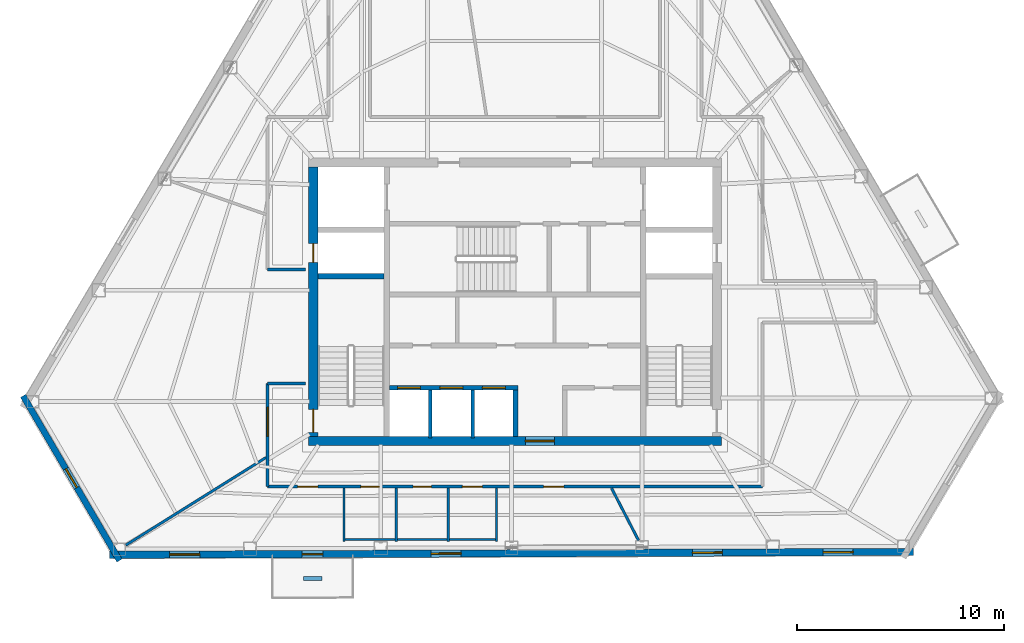
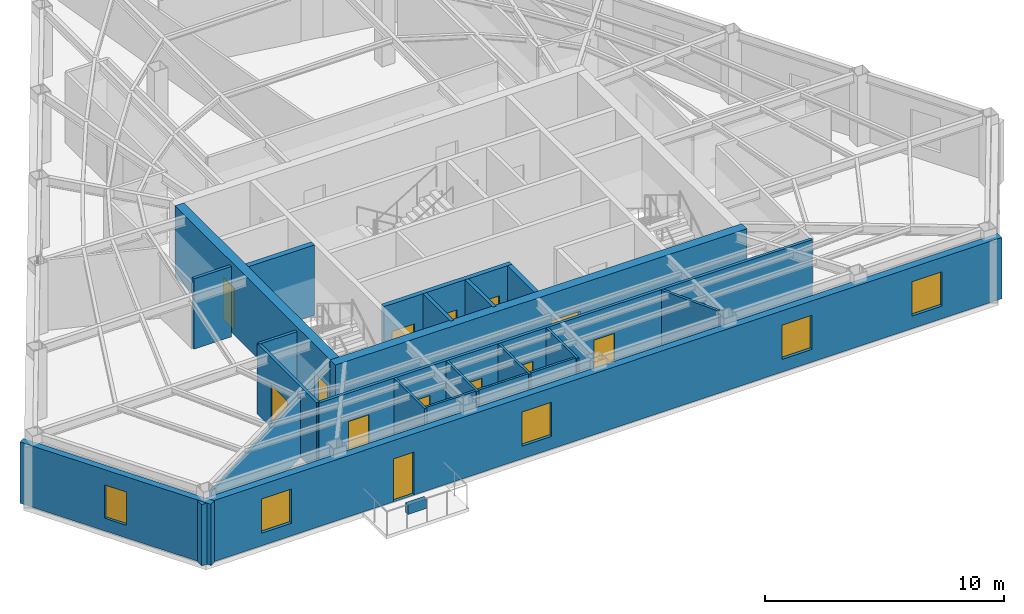
# One storey, part 5 of 9: 21 walls, 13 doors, 5 windows, 18 openings.
"""IFC4 building model written with IfcOpenShell, lengths in metres."""

from ifc_helpers import new_model, si_unit, direction, frame, frame_2d, origin, place, context, subcontext, project, spatial, rectangle, extrude, material, layer, layer_set, type_object, element, fill, save


model = new_model("IFC4")

# Units and contexts
model_context = context("Model", 3, precision=1e-05, world=origin(), true_north=direction((0.0, 1.0)))
body_context = subcontext(model_context, "Body", "Model", "MODEL_VIEW")
ifc_project = project(units=[si_unit("LENGTHUNIT", "METRE"), si_unit("AREAUNIT", "SQUARE_METRE"), si_unit("VOLUMEUNIT", "CUBIC_METRE"), si_unit("PLANEANGLEUNIT", "RADIAN"), si_unit("MASSUNIT", "GRAM", prefix="KILO")], contexts=[model_context])

# Site, building, storey
site_placement = place(None, origin())
site = spatial("IfcSite", under=ifc_project, at=site_placement, CompositionType="ELEMENT")
building_placement = place(site_placement, origin())
building = spatial("IfcBuilding", under=site, at=building_placement, Name="Kavelnor Concourse Tower", CompositionType="ELEMENT")
storey_placement = place(building_placement, frame((0.0, 0.0, 207.35009765625)))
storey = spatial("IfcBuildingStorey", under=building, at=storey_placement, Name="L52", CompositionType="ELEMENT", Elevation=207.35009765625)

# Wall, opening, door
ifc_material_1 = material(Name="Concrete C50/60", Category="concrete")
ifc_layer_1 = layer(ifc_material_1, 0.43994140625, Name="Concrete C50/60")
ifc_layer_set_1 = layer_set([ifc_layer_1], Name="Concrete C50/60")
wall_type_1 = type_object("IfcWallType", Name="WL-CORE-Z3-440", PredefinedType="SOLIDWALL", material=ifc_layer_set_1)
wall_1_placement = place(storey_placement, frame((28.0400390625, 9.3798828125, 0.0), z_axis=(0.0, 0.0, 1.0), x_axis=(1.0, 0.0, 0.0)))
wall_1 = element("IfcWall", 1, at=wall_1_placement, inside=storey, type_object=wall_type_1, Name="L52 Central Core South Shear Wall", PredefinedType="SOLIDWALL", context=body_context, shape_type="SweptSolid", body=[
    extrude(rectangle(XDim=19.919921875, YDim=0.43994140625, at=frame_2d((9.9599609375, 0.0))), origin(), (0.0, 0.0, 1.0), 3.599853515625),
])
opening_1_placement = place(wall_1_placement, frame((10.4599609375, 0.0, 0.0)))
opening_1 = element("IfcOpeningElement", 2, at=opening_1_placement, cuts=wall_1, Name="Opening SD-140", PredefinedType="OPENING", context=body_context, shape_type="SweptSolid", body=[
    extrude(rectangle(XDim=1.39990234375, YDim=2.199951171875, at=frame_2d((0.699951171875, 1.10009765625))), frame((0.0, 0.22998046875, 0.0), z_axis=(0.0, -1.0, 0.0), x_axis=(1.0, 0.0, 0.0)), (0.0, 0.0, 1.0), 0.4599609375),
])
ifc_material_2 = material(Name="Solid-core hardwood timber", Category="wood")
door_type_1 = type_object("IfcDoorType", Name="DR-SUITE-ENTRY-1400", OperationType="NOTDEFINED", PredefinedType="DOOR", material=ifc_material_2)
door_1_placement = place(opening_1_placement, origin())
door_1 = element("IfcDoor", 3, at=door_1_placement, inside=storey, type_object=door_type_1, Name="L52 Passenger Lift Lobby Entry Door", OperationType="SINGLE_SWING_LEFT", OverallHeight=2.199951171875, OverallWidth=1.39990234375, PredefinedType="DOOR", context=body_context, shape_type="SweptSolid", body=[
    extrude(rectangle(XDim=1.39990234375, YDim=2.199951171875, at=frame_2d((0.699951171875, 1.10009765625))), frame((0.0, 0.02490234375, 0.0), z_axis=(0.0, -1.0, 0.0), x_axis=(1.0, 0.0, 0.0)), (0.0, 0.0, 1.0), 0.050048828125),
])
fill(opening_1, door_1)

# Wall, openings, doors
wall_2_placement = place(storey_placement, frame((28.260009765625, 9.60009765625, 0.0), z_axis=(0.0, 0.0, 1.0), x_axis=(0.0, 1.0, 0.0)))
wall_2 = element("IfcWall", 4, at=wall_2_placement, inside=storey, type_object=wall_type_1, Name="L52 Central Core West Shear Wall", PredefinedType="SOLIDWALL", context=body_context, shape_type="SweptSolid", body=[
    extrude(rectangle(XDim=13.0, YDim=0.43994140625, at=frame_2d((6.5, 0.0))), origin(), (0.0, 0.0, 1.0), 3.599853515625),
])
opening_2_placement = place(wall_2_placement, frame((0.199951171875, 0.0, 0.0)))
opening_2 = element("IfcOpeningElement", 5, at=opening_2_placement, cuts=wall_2, Name="Opening FD-110", PredefinedType="OPENING", context=body_context, shape_type="SweptSolid", body=[
    extrude(rectangle(XDim=1.10009765625, YDim=2.14990234375, at=frame_2d((0.550048828125, 1.074951171875))), frame((0.0, 0.22998046875, 0.0), z_axis=(0.0, -1.0, 0.0), x_axis=(1.0, 0.0, 0.0)), (0.0, 0.0, 1.0), 0.4599609375),
])
opening_3_placement = place(wall_2_placement, frame((8.39990234375, 0.0, 0.0)))
opening_3 = element("IfcOpeningElement", 6, at=opening_3_placement, cuts=wall_2, Name="Opening FD-090", PredefinedType="OPENING", context=body_context, shape_type="SweptSolid", body=[
    extrude(rectangle(XDim=0.89990234375, YDim=2.10009765625, at=frame_2d((0.449951171875, 1.050048828125))), frame((0.0, 0.22998046875, 0.0), z_axis=(0.0, -1.0, 0.0), x_axis=(1.0, 0.0, 0.0)), (0.0, 0.0, 1.0), 0.4599609375),
])
ifc_material_3 = material(Name="Steel Grade 350", Category="steel")
door_type_2 = type_object("IfcDoorType", Name="DR-RISER-FIRE-900", OperationType="NOTDEFINED", PredefinedType="DOOR", material=ifc_material_3)
door_2_placement = place(opening_3_placement, origin())
door_2 = element("IfcDoor", 7, at=door_2_placement, inside=storey, type_object=door_type_2, Name="L52 West Riser Access Door", OperationType="SINGLE_SWING_RIGHT", OverallHeight=2.10009765625, OverallWidth=0.89990234375, PredefinedType="DOOR", context=body_context, shape_type="SweptSolid", body=[
    extrude(rectangle(XDim=0.89990234375, YDim=2.10009765625, at=frame_2d((0.449951171875, 1.050048828125))), frame((0.0, 0.02490234375, 0.0), z_axis=(0.0, -1.0, 0.0), x_axis=(1.0, 0.0, 0.0)), (0.0, 0.0, 1.0), 0.050048828125),
])
fill(opening_3, door_2)
door_type_3 = type_object("IfcDoorType", Name="DR-STAIR-FIRE-1100", OperationType="NOTDEFINED", PredefinedType="DOOR", material=ifc_material_3)
door_3_placement = place(opening_2_placement, origin())
door_3 = element("IfcDoor", 8, at=door_3_placement, inside=storey, type_object=door_type_3, Name="L52 Stair ST1 Fire Door", OperationType="SINGLE_SWING_LEFT", OverallHeight=2.14990234375, OverallWidth=1.10009765625, PredefinedType="DOOR", context=body_context, shape_type="SweptSolid", body=[
    extrude(rectangle(XDim=1.10009765625, YDim=2.14990234375, at=frame_2d((0.550048828125, 1.074951171875))), frame((0.0, 0.02490234375, 0.0), z_axis=(0.0, -1.0, 0.0), x_axis=(1.0, 0.0, 0.0)), (0.0, 0.0, 1.0), 0.050048828125),
])
fill(opening_2, door_3)

# Wall, opening, window
ifc_material_4 = material(Name="Buff ironspot clay face brick masonry", Category="masonry")
ifc_layer_2 = layer(ifc_material_4, 0.300048828125, Name="Buff ironspot clay face brick masonry")
ifc_layer_set_2 = layer_set([ifc_layer_2], Name="Buff ironspot clay face brick masonry")
wall_type_2 = type_object("IfcWallType", Name="WL-EXT-BUFF-BRICK-FOLD-300", PredefinedType="STANDARD", material=ifc_layer_set_2)
wall_3_placement = place(storey_placement, frame((18.908203125, 3.610595703125, 0.0), z_axis=(0.0, 0.0, 1.0), x_axis=(-0.505123331993, 0.863047171061, 0.0)))
wall_3 = element("IfcWall", 9, at=wall_3_placement, inside=storey, type_object=wall_type_2, Name="L52 Exterior Brick Facade Wall E2", PredefinedType="STANDARD", context=body_context, shape_type="SweptSolid", body=[
    extrude(rectangle(XDim=9.20849609375, YDim=0.300048828125, at=frame_2d((4.604248046875, 0.0))), origin(), (0.0, 0.0, 1.0), 3.1318359375),
])
opening_4_placement = place(wall_3_placement, frame((4.0791015625, 0.0, 0.64990234375)))
opening_4 = element("IfcOpeningElement", 10, at=opening_4_placement, cuts=wall_3, Name="Opening W-06", PredefinedType="OPENING", context=body_context, shape_type="SweptSolid", body=[
    extrude(rectangle(XDim=1.050048828125, YDim=1.699951171875, at=frame_2d((0.52490234375, 0.85009765625))), frame((0.0, 0.16015625, 0.0), z_axis=(0.0, -1.0, 0.0), x_axis=(1.0, 0.0, 0.0)), (0.0, 0.0, 1.0), 0.320068359375),
])
ifc_material_5 = material(Name="Double low-E argon insulated glazing", Category="glass")
window_type_1 = type_object("IfcWindowType", Name="WIN-FOLD-1050", PartitioningType="SINGLE_PANEL", PredefinedType="WINDOW", material=ifc_material_5)
window_1_placement = place(opening_4_placement, origin())
window_1 = element("IfcWindow", 11, at=window_1_placement, inside=storey, type_object=window_type_1, Name="L52 Chamfer-Fold Facet Window C1", OverallHeight=1.699951171875, OverallWidth=1.050048828125, PartitioningType="SINGLE_PANEL", PredefinedType="WINDOW", context=body_context, shape_type="SweptSolid", body=[
    extrude(rectangle(XDim=1.050048828125, YDim=1.699951171875, at=frame_2d((0.52490234375, 0.85009765625))), frame((0.0, 0.030029296875, 0.0), z_axis=(0.0, -1.0, 0.0), x_axis=(1.0, 0.0, 0.0)), (0.0, 0.0, 1.0), 0.06005859375),
])
fill(opening_4, window_1)

# Wall, openings, door, windows
ifc_material_6 = material(Name="Red-ochre clay face brick masonry", Category="masonry")
ifc_layer_3 = layer(ifc_material_6, 0.35009765625, Name="Red-ochre clay face brick masonry")
ifc_layer_set_3 = layer_set([ifc_layer_3], Name="Red-ochre clay face brick masonry")
wall_type_3 = type_object("IfcWallType", Name="WL-EXT-RED-BRICK-PIER-350", PredefinedType="STANDARD", material=ifc_layer_set_3)
wall_4_placement = place(storey_placement, frame((57.218505859375, 4.02734375, 0.0), z_axis=(0.0, 0.0, 1.0), x_axis=(-0.999993384167, -0.003637529585, 0.0)))
wall_4 = element("IfcWall", 12, at=wall_4_placement, inside=storey, type_object=wall_type_3, Name="L52 Exterior Brick Facade Wall E3", PredefinedType="STANDARD", context=body_context, shape_type="SweptSolid", body=[
    extrude(rectangle(XDim=38.793701171875, YDim=0.35009765625, at=frame_2d((19.39697265625, 0.0))), origin(), (0.0, 0.0, 1.0), 3.1318359375),
])
opening_5_placement = place(wall_4_placement, frame((28.4951171875, 0.0, 0.0)))
opening_5 = element("IfcOpeningElement", 13, at=opening_5_placement, cuts=wall_4, Name="Opening BD-100", PredefinedType="OPENING", context=body_context, shape_type="SweptSolid", body=[
    extrude(rectangle(XDim=1.0, YDim=2.199951171875, at=frame_2d((0.5, 1.10009765625))), frame((0.0, 0.18505859375, 0.0), z_axis=(0.0, -1.0, 0.0), x_axis=(1.0, 0.0, 0.0)), (0.0, 0.0, 1.0), 0.3701171875),
])
opening_6_placement = place(wall_4_placement, frame((34.4384765625, 0.0, 0.64990234375)))
opening_6 = element("IfcOpeningElement", 14, at=opening_6_placement, cuts=wall_4, Name="Opening W-03", PredefinedType="OPENING", context=body_context, shape_type="SweptSolid", body=[
    extrude(rectangle(XDim=1.449951171875, YDim=1.75, at=frame_2d((0.72509765625, 0.875))), frame((0.0, 0.18505859375, 0.0), z_axis=(0.0, -1.0, 0.0), x_axis=(1.0, 0.0, 0.0)), (0.0, 0.0, 1.0), 0.3701171875),
])
opening_7_placement = place(wall_4_placement, frame((21.82373046875, 0.0, 0.64990234375)))
opening_7 = element("IfcOpeningElement", 15, at=opening_7_placement, cuts=wall_4, Name="Opening W-03", PredefinedType="OPENING", context=body_context, shape_type="SweptSolid", body=[
    extrude(rectangle(XDim=1.449951171875, YDim=1.75, at=frame_2d((0.72509765625, 0.875))), frame((0.0, 0.18505859375, 0.0), z_axis=(0.0, -1.0, 0.0), x_axis=(1.0, 0.0, 0.0)), (0.0, 0.0, 1.0), 0.3701171875),
])
opening_8_placement = place(wall_4_placement, frame((9.208984375, 0.0, 0.64990234375)))
opening_8 = element("IfcOpeningElement", 16, at=opening_8_placement, cuts=wall_4, Name="Opening W-03", PredefinedType="OPENING", context=body_context, shape_type="SweptSolid", body=[
    extrude(rectangle(XDim=1.449951171875, YDim=1.75, at=frame_2d((0.72509765625, 0.875))), frame((0.0, 0.18505859375, 0.0), z_axis=(0.0, -1.0, 0.0), x_axis=(1.0, 0.0, 0.0)), (0.0, 0.0, 1.0), 0.3701171875),
])
opening_9_placement = place(wall_4_placement, frame((2.901611328125, 0.0, 0.64990234375)))
opening_9 = element("IfcOpeningElement", 17, at=opening_9_placement, cuts=wall_4, Name="Opening W-03", PredefinedType="OPENING", context=body_context, shape_type="SweptSolid", body=[
    extrude(rectangle(XDim=1.449951171875, YDim=1.75, at=frame_2d((0.72509765625, 0.875))), frame((0.0, 0.18505859375, 0.0), z_axis=(0.0, -1.0, 0.0), x_axis=(1.0, 0.0, 0.0)), (0.0, 0.0, 1.0), 0.3701171875),
])
ifc_material_7 = material(Name="Anodised aluminium 6063-T6", Category="aluminium")
door_type_4 = type_object("IfcDoorType", Name="DR-BALCONY-EXT-1000", OperationType="NOTDEFINED", PredefinedType="DOOR", material=ifc_material_7)
door_4_placement = place(opening_5_placement, origin())
door_4 = element("IfcDoor", 18, at=door_4_placement, inside=storey, type_object=door_type_4, Name="L52 Tree Balcony 1 Glazed Door", OperationType="SINGLE_SWING_LEFT", OverallHeight=2.199951171875, OverallWidth=1.0, PredefinedType="DOOR", context=body_context, shape_type="SweptSolid", body=[
    extrude(rectangle(XDim=1.0, YDim=2.199951171875, at=frame_2d((0.5, 1.10009765625))), frame((0.0, 0.02490234375, 0.0), z_axis=(0.0, -1.0, 0.0), x_axis=(1.0, 0.0, 0.0)), (0.0, 0.0, 1.0), 0.050048828125),
])
fill(opening_5, door_4)
window_type_2 = type_object("IfcWindowType", Name="WIN-PIER-Z3-1500", PartitioningType="SINGLE_PANEL", PredefinedType="WINDOW", material=ifc_material_5)
window_2_placement = place(opening_6_placement, origin())
window_2 = element("IfcWindow", 19, at=window_2_placement, inside=storey, type_object=window_type_2, Name="L52 Deep-Set Brick Pier Window F1-B0", OverallHeight=1.75, OverallWidth=1.449951171875, PartitioningType="SINGLE_PANEL", PredefinedType="WINDOW", context=body_context, shape_type="SweptSolid", body=[
    extrude(rectangle(XDim=1.449951171875, YDim=1.75, at=frame_2d((0.72509765625, 0.875))), frame((0.0, 0.030029296875, 0.0), z_axis=(0.0, -1.0, 0.0), x_axis=(1.0, 0.0, 0.0)), (0.0, 0.0, 1.0), 0.06005859375),
])
fill(opening_6, window_2)
window_3_placement = place(opening_7_placement, origin())
window_3 = element("IfcWindow", 20, at=window_3_placement, inside=storey, type_object=window_type_2, Name="L52 Deep-Set Brick Pier Window F1-B2", OverallHeight=1.75, OverallWidth=1.449951171875, PartitioningType="SINGLE_PANEL", PredefinedType="WINDOW", context=body_context, shape_type="SweptSolid", body=[
    extrude(rectangle(XDim=1.449951171875, YDim=1.75, at=frame_2d((0.72509765625, 0.875))), frame((0.0, 0.030029296875, 0.0), z_axis=(0.0, -1.0, 0.0), x_axis=(1.0, 0.0, 0.0)), (0.0, 0.0, 1.0), 0.06005859375),
])
fill(opening_7, window_3)
window_4_placement = place(opening_8_placement, origin())
window_4 = element("IfcWindow", 21, at=window_4_placement, inside=storey, type_object=window_type_2, Name="L52 Deep-Set Brick Pier Window F1-B4", OverallHeight=1.75, OverallWidth=1.449951171875, PartitioningType="SINGLE_PANEL", PredefinedType="WINDOW", context=body_context, shape_type="SweptSolid", body=[
    extrude(rectangle(XDim=1.449951171875, YDim=1.75, at=frame_2d((0.72509765625, 0.875))), frame((0.0, 0.030029296875, 0.0), z_axis=(0.0, -1.0, 0.0), x_axis=(1.0, 0.0, 0.0)), (0.0, 0.0, 1.0), 0.06005859375),
])
fill(opening_8, window_4)
window_5_placement = place(opening_9_placement, origin())
window_5 = element("IfcWindow", 22, at=window_5_placement, inside=storey, type_object=window_type_2, Name="L52 Deep-Set Brick Pier Window F1-B5", OverallHeight=1.75, OverallWidth=1.449951171875, PartitioningType="SINGLE_PANEL", PredefinedType="WINDOW", context=body_context, shape_type="SweptSolid", body=[
    extrude(rectangle(XDim=1.449951171875, YDim=1.75, at=frame_2d((0.72509765625, 0.875))), frame((0.0, 0.030029296875, 0.0), z_axis=(0.0, -1.0, 0.0), x_axis=(1.0, 0.0, 0.0)), (0.0, 0.0, 1.0), 0.06005859375),
])
fill(opening_9, window_5)

# Wall
ifc_material_8 = material(Name="Gypsum plasterboard on light-gauge steel studs", Category="steel")
ifc_layer_4 = layer(ifc_material_8, 0.14501953125, Name="Gypsum plasterboard on light-gauge steel studs")
ifc_layer_set_4 = layer_set([ifc_layer_4], Name="Gypsum plasterboard on light-gauge steel studs")
wall_type_4 = type_object("IfcWallType", Name="WL-INT-CORR-145", PredefinedType="PARTITIONING", material=ifc_layer_set_4)
wall_5_placement = place(storey_placement, frame((27.8798828125, 17.64990234375, 0.0), z_axis=(0.0, 0.0, 1.0), x_axis=(-1.0, 0.0, 0.0)))
element("IfcWall", 23, at=wall_5_placement, inside=storey, type_object=wall_type_4, Name="L52 Corridor Wall WL-L52-CR-01", PredefinedType="PARTITIONING", context=body_context, shape_type="SweptSolid", body=[
    extrude(rectangle(XDim=1.81982421875, YDim=0.14501953125, at=frame_2d((0.909912109375, 0.0))), origin(), (0.0, 0.0, 1.0), 3.599853515625),
])

# Wall, openings, doors
wall_6_placement = place(storey_placement, frame((49.93994140625, 7.179931640625, 0.0), z_axis=(0.0, 0.0, 1.0), x_axis=(-1.0, 0.0, 0.0)))
wall_6 = element("IfcWall", 24, at=wall_6_placement, inside=storey, type_object=wall_type_4, Name="L52 Corridor Wall WL-L52-CR-17", PredefinedType="PARTITIONING", context=body_context, shape_type="SweptSolid", body=[
    extrude(rectangle(XDim=23.8798828125, YDim=0.14501953125, at=frame_2d((11.93994140625, 0.0))), origin(), (0.0, 0.0, 1.0), 3.599853515625),
])
opening_10_placement = place(wall_6_placement, frame((18.5, 0.0, 0.0)))
opening_10 = element("IfcOpeningElement", 25, at=opening_10_placement, cuts=wall_6, Name="Opening WD-088", PredefinedType="OPENING", context=body_context, shape_type="SweptSolid", body=[
    extrude(rectangle(XDim=0.8798828125, YDim=2.10009765625, at=frame_2d((0.43994140625, 1.050048828125))), frame((0.0, 0.08251953125, 0.0), z_axis=(0.0, -1.0, 0.0), x_axis=(1.0, 0.0, 0.0)), (0.0, 0.0, 1.0), 0.1650390625),
])
opening_11_placement = place(wall_6_placement, frame((15.97998046875, 0.0, 0.0)))
opening_11 = element("IfcOpeningElement", 26, at=opening_11_placement, cuts=wall_6, Name="Opening WD-088", PredefinedType="OPENING", context=body_context, shape_type="SweptSolid", body=[
    extrude(rectangle(XDim=0.8798828125, YDim=2.10009765625, at=frame_2d((0.43994140625, 1.050048828125))), frame((0.0, 0.08251953125, 0.0), z_axis=(0.0, -1.0, 0.0), x_axis=(1.0, 0.0, 0.0)), (0.0, 0.0, 1.0), 0.1650390625),
])
opening_12_placement = place(wall_6_placement, frame((13.52001953125, 0.0, 0.0)))
opening_12 = element("IfcOpeningElement", 27, at=opening_12_placement, cuts=wall_6, Name="Opening WD-096", PredefinedType="OPENING", context=body_context, shape_type="SweptSolid", body=[
    extrude(rectangle(XDim=0.9599609375, YDim=2.10009765625, at=frame_2d((0.47998046875, 1.050048828125))), frame((0.0, 0.08251953125, 0.0), z_axis=(0.0, -1.0, 0.0), x_axis=(1.0, 0.0, 0.0)), (0.0, 0.0, 1.0), 0.1650390625),
])
opening_13_placement = place(wall_6_placement, frame((21.45947265625, 0.0, 0.0)))
opening_13 = element("IfcOpeningElement", 28, at=opening_13_placement, cuts=wall_6, Name="Opening OD-098", PredefinedType="OPENING", context=body_context, shape_type="SweptSolid", body=[
    extrude(rectangle(XDim=0.97998046875, YDim=2.14990234375, at=frame_2d((0.489990234375, 1.074951171875))), frame((0.0, 0.08251953125, 0.0), z_axis=(0.0, -1.0, 0.0), x_axis=(1.0, 0.0, 0.0)), (0.0, 0.0, 1.0), 0.1650390625),
])
opening_14_placement = place(wall_6_placement, frame((9.5849609375, 0.0, 0.0)))
opening_14 = element("IfcOpeningElement", 29, at=opening_14_placement, cuts=wall_6, Name="Opening OD-098", PredefinedType="OPENING", context=body_context, shape_type="SweptSolid", body=[
    extrude(rectangle(XDim=0.97998046875, YDim=2.14990234375, at=frame_2d((0.489990234375, 1.074951171875))), frame((0.0, 0.08251953125, 0.0), z_axis=(0.0, -1.0, 0.0), x_axis=(1.0, 0.0, 0.0)), (0.0, 0.0, 1.0), 0.1650390625),
])
door_type_5 = type_object("IfcDoorType", Name="DR-OFFICE-980", OperationType="NOTDEFINED", PredefinedType="DOOR", material=ifc_material_2)
door_5_placement = place(opening_13_placement, origin())
door_5 = element("IfcDoor", 30, at=door_5_placement, inside=storey, type_object=door_type_5, Name="L52 Workplace Open Office 05 Door", OperationType="SINGLE_SWING_RIGHT", OverallHeight=2.14990234375, OverallWidth=0.97998046875, PredefinedType="DOOR", context=body_context, shape_type="SweptSolid", body=[
    extrude(rectangle(XDim=0.97998046875, YDim=2.14990234375, at=frame_2d((0.489990234375, 1.074951171875))), frame((0.0, 0.02490234375, 0.0), z_axis=(0.0, -1.0, 0.0), x_axis=(1.0, 0.0, 0.0)), (0.0, 0.0, 1.0), 0.050048828125),
])
fill(opening_13, door_5)
door_6_placement = place(opening_14_placement, origin())
door_6 = element("IfcDoor", 31, at=door_6_placement, inside=storey, type_object=door_type_5, Name="L52 Workplace Open Office 06 Door", OperationType="SINGLE_SWING_LEFT", OverallHeight=2.14990234375, OverallWidth=0.97998046875, PredefinedType="DOOR", context=body_context, shape_type="SweptSolid", body=[
    extrude(rectangle(XDim=0.97998046875, YDim=2.14990234375, at=frame_2d((0.489990234375, 1.074951171875))), frame((0.0, 0.02490234375, 0.0), z_axis=(0.0, -1.0, 0.0), x_axis=(1.0, 0.0, 0.0)), (0.0, 0.0, 1.0), 0.050048828125),
])
fill(opening_14, door_6)
door_type_6 = type_object("IfcDoorType", Name="DR-WC-ACC-960", OperationType="NOTDEFINED", PredefinedType="DOOR", material=ifc_material_2)
door_7_placement = place(opening_12_placement, origin())
door_7 = element("IfcDoor", 32, at=door_7_placement, inside=storey, type_object=door_type_6, Name="L52 Accessible WC Door", OperationType="SINGLE_SWING_LEFT", OverallHeight=2.10009765625, OverallWidth=0.9599609375, PredefinedType="DOOR", context=body_context, shape_type="SweptSolid", body=[
    extrude(rectangle(XDim=0.9599609375, YDim=2.10009765625, at=frame_2d((0.47998046875, 1.050048828125))), frame((0.0, 0.02490234375, 0.0), z_axis=(0.0, -1.0, 0.0), x_axis=(1.0, 0.0, 0.0)), (0.0, 0.0, 1.0), 0.050048828125),
])
fill(opening_12, door_7)
door_type_7 = type_object("IfcDoorType", Name="DR-WC-STD-880", OperationType="NOTDEFINED", PredefinedType="DOOR", material=ifc_material_2)
door_8_placement = place(opening_10_placement, origin())
door_8 = element("IfcDoor", 33, at=door_8_placement, inside=storey, type_object=door_type_7, Name="L52 Male WC Door", OperationType="SINGLE_SWING_LEFT", OverallHeight=2.10009765625, OverallWidth=0.8798828125, PredefinedType="DOOR", context=body_context, shape_type="SweptSolid", body=[
    extrude(rectangle(XDim=0.8798828125, YDim=2.10009765625, at=frame_2d((0.43994140625, 1.050048828125))), frame((0.0, 0.02490234375, 0.0), z_axis=(0.0, -1.0, 0.0), x_axis=(1.0, 0.0, 0.0)), (0.0, 0.0, 1.0), 0.050048828125),
])
fill(opening_10, door_8)
door_9_placement = place(opening_11_placement, origin())
door_9 = element("IfcDoor", 34, at=door_9_placement, inside=storey, type_object=door_type_7, Name="L52 Female WC Door", OperationType="SINGLE_SWING_RIGHT", OverallHeight=2.10009765625, OverallWidth=0.8798828125, PredefinedType="DOOR", context=body_context, shape_type="SweptSolid", body=[
    extrude(rectangle(XDim=0.8798828125, YDim=2.10009765625, at=frame_2d((0.43994140625, 1.050048828125))), frame((0.0, 0.02490234375, 0.0), z_axis=(0.0, -1.0, 0.0), x_axis=(1.0, 0.0, 0.0)), (0.0, 0.0, 1.0), 0.050048828125),
])
fill(opening_11, door_9)

# Wall, opening, door
wall_7_placement = place(storey_placement, frame((26.06005859375, 7.179931640625, 0.0), z_axis=(0.0, 0.0, 1.0), x_axis=(0.0, 1.0, 0.0)))
wall_7 = element("IfcWall", 35, at=wall_7_placement, inside=storey, type_object=wall_type_4, Name="L52 Corridor Wall WL-L52-CR-18", PredefinedType="PARTITIONING", context=body_context, shape_type="SweptSolid", body=[
    extrude(rectangle(XDim=4.969970703125, YDim=0.14501953125, at=frame_2d((2.48486328125, 0.0))), origin(), (0.0, 0.0, 1.0), 3.599853515625),
])
opening_15_placement = place(wall_7_placement, frame((2.422607421875, 0.0, 0.0)))
opening_15 = element("IfcOpeningElement", 36, at=opening_15_placement, cuts=wall_7, Name="Opening SD-140", PredefinedType="OPENING", context=body_context, shape_type="SweptSolid", body=[
    extrude(rectangle(XDim=1.39990234375, YDim=2.199951171875, at=frame_2d((0.699951171875, 1.10009765625))), frame((0.0, 0.08251953125, 0.0), z_axis=(0.0, -1.0, 0.0), x_axis=(1.0, 0.0, 0.0)), (0.0, 0.0, 1.0), 0.1650390625),
])
door_10_placement = place(opening_15_placement, origin())
door_10 = element("IfcDoor", 37, at=door_10_placement, inside=storey, type_object=door_type_1, Name="L52 Workplace Open Office 04 Door", OperationType="SINGLE_SWING_LEFT", OverallHeight=2.199951171875, OverallWidth=1.39990234375, PredefinedType="DOOR", context=body_context, shape_type="SweptSolid", body=[
    extrude(rectangle(XDim=1.39990234375, YDim=2.199951171875, at=frame_2d((0.699951171875, 1.10009765625))), frame((0.0, 0.02490234375, 0.0), z_axis=(0.0, -1.0, 0.0), x_axis=(1.0, 0.0, 0.0)), (0.0, 0.0, 1.0), 0.050048828125),
])
fill(opening_15, door_10)

# Walls
wall_8_placement = place(storey_placement, frame((26.06005859375, 12.14990234375, 0.0), z_axis=(0.0, 0.0, 1.0), x_axis=(1.0, 0.0, 0.0)))
element("IfcWall", 38, at=wall_8_placement, inside=storey, type_object=wall_type_4, Name="L52 Corridor Wall WL-L52-CR-19", PredefinedType="PARTITIONING", context=body_context, shape_type="SweptSolid", body=[
    extrude(rectangle(XDim=1.81982421875, YDim=0.14501953125, at=frame_2d((0.909912109375, 0.0))), origin(), (0.0, 0.0, 1.0), 3.599853515625),
])
ifc_layer_5 = layer(ifc_material_8, 0.1650390625, Name="Gypsum plasterboard on light-gauge steel studs")
ifc_layer_set_5 = layer_set([ifc_layer_5], Name="Gypsum plasterboard on light-gauge steel studs")
wall_type_5 = type_object("IfcWallType", Name="WL-INT-FIRE-165", PredefinedType="PARTITIONING", material=ifc_layer_set_5)
for number, where, z_axis, x_axis, name in (
    (39, (33.89990234375, 9.52001953125, 0.0), (0.0, 0.0, 1.0), (0.0, 1.0, 0.0), "L52 Lift Shaft Divider LP7"),
    (40, (35.949951171875, 9.52001953125, 0.0), (0.0, 0.0, 1.0), (0.0, 1.0, 0.0), "L52 Lift Shaft Divider LP8"),
):
    element("IfcWall", number, at=place(storey_placement, frame(where, z_axis=z_axis, x_axis=x_axis)), inside=storey, type_object=wall_type_5, Name=name, PredefinedType="PARTITIONING", context=body_context, shape_type="SweptSolid", body=[
        extrude(rectangle(XDim=2.320068359375, YDim=0.1650390625, at=frame_2d((1.16015625, 0.0))), origin(), (0.0, 0.0, 1.0), 3.599853515625),
    ])
ifc_layer_6 = layer(ifc_material_8, 0.125, Name="Gypsum plasterboard on light-gauge steel studs")
ifc_layer_set_6 = layer_set([ifc_layer_6], Name="Gypsum plasterboard on light-gauge steel studs")
wall_type_6 = type_object("IfcWallType", Name="WL-INT-SUITE-125", PredefinedType="PARTITIONING", material=ifc_layer_set_6)
wall_9_placement = place(storey_placement, frame((25.9794921875, 8.584228515625, 0.0), z_axis=(0.0, 0.0, 1.0), x_axis=(-0.847898670655, -0.530158320034, 0.0)))
element("IfcWall", 41, at=wall_9_placement, inside=storey, type_object=wall_type_6, Name="L52 Radial Suite Partition 04", PredefinedType="PARTITIONING", context=body_context, shape_type="SweptSolid", body=[
    extrude(rectangle(XDim=7.985595703125, YDim=0.125, at=frame_2d((3.99267578125, 0.0))), origin(), (0.0, 0.0, 1.0), 3.140869140625),
])
wall_10_placement = place(storey_placement, frame((42.65576171875, 7.099609375, 0.0), z_axis=(0.0, 0.0, 1.0), x_axis=(0.459450990819, -0.888203122622, 0.0)))
element("IfcWall", 42, at=wall_10_placement, inside=storey, type_object=wall_type_6, Name="L52 Radial Suite Partition 05", PredefinedType="PARTITIONING", context=body_context, shape_type="SweptSolid", body=[
    extrude(rectangle(XDim=2.839111328125, YDim=0.125, at=frame_2d((1.41943359375, 0.0))), origin(), (0.0, 0.0, 1.0), 3.599853515625),
])
ifc_layer_7 = layer(ifc_material_8, 0.110107421875, Name="Gypsum plasterboard on light-gauge steel studs")
ifc_layer_set_7 = layer_set([ifc_layer_7], Name="Gypsum plasterboard on light-gauge steel studs")
wall_type_7 = type_object("IfcWallType", Name="WL-INT-WC-110", PredefinedType="PLUMBINGWALL", material=ifc_layer_set_7)
for number, where, z_axis, x_axis, name in (
    (43, (29.739990234375, 4.530029296875, 0.0), (0.0, 0.0, 1.0), (0.0, 1.0, 0.0), "L52 Sanitary Partition WL-L52-WC-W"),
    (44, (32.260009765625, 4.530029296875, 0.0), (0.0, 0.0, 1.0), (0.0, 1.0, 0.0), "L52 Sanitary Partition WL-L52-WC-D1"),
    (45, (34.780029296875, 4.530029296875, 0.0), (0.0, 0.0, 1.0), (0.0, 1.0, 0.0), "L52 Sanitary Partition WL-L52-WC-D2"),
    (46, (37.10009765625, 4.530029296875, 0.0), (0.0, 0.0, 1.0), (0.0, 1.0, 0.0), "L52 Sanitary Partition WL-L52-WC-E"),
):
    element("IfcWall", number, at=place(storey_placement, frame(where, z_axis=z_axis, x_axis=x_axis)), inside=storey, type_object=wall_type_7, Name=name, PredefinedType="PLUMBINGWALL", context=body_context, shape_type="SweptSolid", body=[
        extrude(rectangle(XDim=2.580078125, YDim=0.110107421875, at=frame_2d((1.2900390625, 0.0))), origin(), (0.0, 0.0, 1.0), 3.599853515625),
    ])
wall_11_placement = place(storey_placement, frame((29.68994140625, 4.6298828125, 0.0), z_axis=(0.0, 0.0, 1.0), x_axis=(1.0, 0.0, 0.0)))
element("IfcWall", 47, at=wall_11_placement, inside=storey, type_object=wall_type_7, Name="L52 Sanitary Partition WL-L52-WC-S", PredefinedType="PLUMBINGWALL", context=body_context, shape_type="SweptSolid", body=[
    extrude(rectangle(XDim=7.4599609375, YDim=0.110107421875, at=frame_2d((3.72998046875, 0.0))), origin(), (0.0, 0.0, 1.0), 3.599853515625),
])
ifc_material_9 = material(Name="Architectural precast planter concrete C40/50", Category="concrete")
ifc_layer_8 = layer(ifc_material_9, 0.18994140625, Name="Architectural precast planter concrete C40/50")
ifc_layer_set_8 = layer_set([ifc_layer_8], Name="Architectural precast planter concrete C40/50")
wall_type_8 = type_object("IfcWallType", Name="WL-PLANTER-KERB-190", PredefinedType="USERDEFINED", material=ifc_layer_set_8)
wall_12_placement = place(storey_placement, frame((27.777587890625, 2.7353515625, 0.0), z_axis=(0.0, 0.0, 1.0), x_axis=(0.999993784066, 0.0035258799, 0.0)))
element("IfcWall", 48, at=wall_12_placement, inside=storey, type_object=wall_type_8, Name="L52 Tree Balcony 1 Tree Planter Kerb", ObjectType="PLANTER", PredefinedType="USERDEFINED", context=body_context, shape_type="SweptSolid", body=[
    extrude(rectangle(XDim=0.900146484375, YDim=0.18994140625, at=frame_2d((0.4501953125, 0.0))), origin(), (0.0, 0.0, 1.0), 0.5),
])

# Wall, openings, doors
ifc_layer_9 = layer(ifc_material_1, 0.219970703125, Name="Concrete C50/60")
ifc_layer_set_9 = layer_set([ifc_layer_9], Name="Concrete C50/60")
wall_type_9 = type_object("IfcWallType", Name="WL-SHAFT-220", PredefinedType="SOLIDWALL", material=ifc_layer_set_9)
wall_13_placement = place(storey_placement, frame((31.93994140625, 11.949951171875, 0.0), z_axis=(0.0, 0.0, 1.0), x_axis=(1.0, 0.0, 0.0)))
wall_13 = element("IfcWall", 49, at=wall_13_placement, inside=storey, type_object=wall_type_9, Name="L52 High-Rise Lift Bank North Wall", PredefinedType="SOLIDWALL", context=body_context, shape_type="SweptSolid", body=[
    extrude(rectangle(XDim=6.18994140625, YDim=0.219970703125, at=frame_2d((3.094970703125, 0.0))), origin(), (0.0, 0.0, 1.0), 3.599853515625),
])
opening_16_placement = place(wall_13_placement, frame((0.385009765625, 0.0, 0.0)))
opening_16 = element("IfcOpeningElement", 50, at=opening_16_placement, cuts=wall_13, Name="Opening LD-110", PredefinedType="OPENING", context=body_context, shape_type="SweptSolid", body=[
    extrude(rectangle(XDim=1.10009765625, YDim=2.199951171875, at=frame_2d((0.550048828125, 1.10009765625))), frame((0.0, 0.1201171875, 0.0), z_axis=(0.0, -1.0, 0.0), x_axis=(1.0, 0.0, 0.0)), (0.0, 0.0, 1.0), 0.239990234375),
])
opening_17_placement = place(wall_13_placement, frame((2.43505859375, 0.0, 0.0)))
opening_17 = element("IfcOpeningElement", 51, at=opening_17_placement, cuts=wall_13, Name="Opening LD-110", PredefinedType="OPENING", context=body_context, shape_type="SweptSolid", body=[
    extrude(rectangle(XDim=1.10009765625, YDim=2.199951171875, at=frame_2d((0.550048828125, 1.10009765625))), frame((0.0, 0.1201171875, 0.0), z_axis=(0.0, -1.0, 0.0), x_axis=(1.0, 0.0, 0.0)), (0.0, 0.0, 1.0), 0.239990234375),
])
opening_18_placement = place(wall_13_placement, frame((4.485107421875, 0.0, 0.0)))
opening_18 = element("IfcOpeningElement", 52, at=opening_18_placement, cuts=wall_13, Name="Opening LD-110", PredefinedType="OPENING", context=body_context, shape_type="SweptSolid", body=[
    extrude(rectangle(XDim=1.10009765625, YDim=2.199951171875, at=frame_2d((0.550048828125, 1.10009765625))), frame((0.0, 0.1201171875, 0.0), z_axis=(0.0, -1.0, 0.0), x_axis=(1.0, 0.0, 0.0)), (0.0, 0.0, 1.0), 0.239990234375),
])
door_type_8 = type_object("IfcDoorType", Name="DR-LIFT-SLIDING-1100", OperationType="NOTDEFINED", PredefinedType="DOOR", material=ifc_material_3)
door_11_placement = place(opening_16_placement, origin())
door_11 = element("IfcDoor", 53, at=door_11_placement, inside=storey, type_object=door_type_8, Name="L52 Lift LP7 Landing Door", OperationType="DOUBLE_DOOR_SLIDING", OverallHeight=2.199951171875, OverallWidth=1.10009765625, PredefinedType="DOOR", context=body_context, shape_type="SweptSolid", body=[
    extrude(rectangle(XDim=1.10009765625, YDim=2.199951171875, at=frame_2d((0.550048828125, 1.10009765625))), frame((0.0, 0.02490234375, 0.0), z_axis=(0.0, -1.0, 0.0), x_axis=(1.0, 0.0, 0.0)), (0.0, 0.0, 1.0), 0.050048828125),
])
fill(opening_16, door_11)
door_12_placement = place(opening_17_placement, origin())
door_12 = element("IfcDoor", 54, at=door_12_placement, inside=storey, type_object=door_type_8, Name="L52 Lift LP8 Landing Door", OperationType="DOUBLE_DOOR_SLIDING", OverallHeight=2.199951171875, OverallWidth=1.10009765625, PredefinedType="DOOR", context=body_context, shape_type="SweptSolid", body=[
    extrude(rectangle(XDim=1.10009765625, YDim=2.199951171875, at=frame_2d((0.550048828125, 1.10009765625))), frame((0.0, 0.02490234375, 0.0), z_axis=(0.0, -1.0, 0.0), x_axis=(1.0, 0.0, 0.0)), (0.0, 0.0, 1.0), 0.050048828125),
])
fill(opening_17, door_12)
door_13_placement = place(opening_18_placement, origin())
door_13 = element("IfcDoor", 55, at=door_13_placement, inside=storey, type_object=door_type_8, Name="L52 Lift LP9 Landing Door", OperationType="DOUBLE_DOOR_SLIDING", OverallHeight=2.199951171875, OverallWidth=1.10009765625, PredefinedType="DOOR", context=body_context, shape_type="SweptSolid", body=[
    extrude(rectangle(XDim=1.10009765625, YDim=2.199951171875, at=frame_2d((0.550048828125, 1.10009765625))), frame((0.0, 0.02490234375, 0.0), z_axis=(0.0, -1.0, 0.0), x_axis=(1.0, 0.0, 0.0)), (0.0, 0.0, 1.0), 0.050048828125),
])
fill(opening_18, door_13)

# Walls
wall_14_placement = place(storey_placement, frame((38.02001953125, 9.60009765625, 0.0), z_axis=(0.0, 0.0, 1.0), x_axis=(0.0, 1.0, 0.0)))
element("IfcWall", 56, at=wall_14_placement, inside=storey, type_object=wall_type_9, Name="L52 Lift Lobby Throat West Wall", PredefinedType="SOLIDWALL", context=body_context, shape_type="SweptSolid", body=[
    extrude(rectangle(XDim=2.239990234375, YDim=0.219970703125, at=frame_2d((1.1201171875, 0.0))), origin(), (0.0, 0.0, 1.0), 3.599853515625),
])
ifc_layer_10 = layer(ifc_material_1, 0.260009765625, Name="Concrete C50/60")
ifc_layer_set_10 = layer_set([ifc_layer_10], Name="Concrete C50/60")
wall_type_10 = type_object("IfcWallType", Name="WL-SHAFT-260", PredefinedType="SHEAR", material=ifc_layer_set_10)
wall_15_placement = place(storey_placement, frame((28.47998046875, 17.330078125, 0.0), z_axis=(0.0, 0.0, 1.0), x_axis=(1.0, 0.0, 0.0)))
element("IfcWall", 57, at=wall_15_placement, inside=storey, type_object=wall_type_10, Name="L52 Stair ST1 North Shaft Wall", PredefinedType="SHEAR", context=body_context, shape_type="SweptSolid", body=[
    extrude(rectangle(XDim=3.199951171875, YDim=0.260009765625, at=frame_2d((1.60009765625, 0.0))), origin(), (0.0, 0.0, 1.0), 3.599853515625),
])

save(model, "model.ifc")
